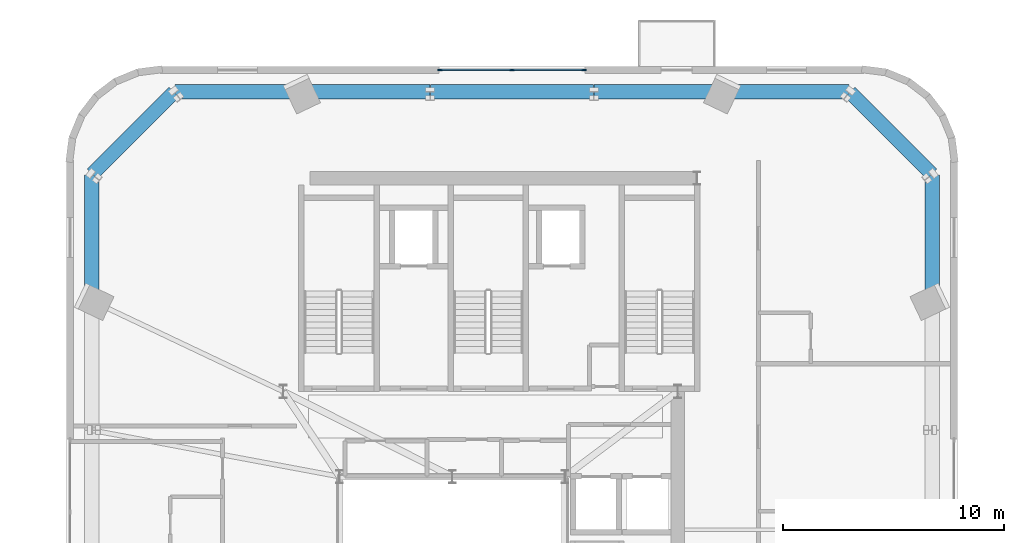
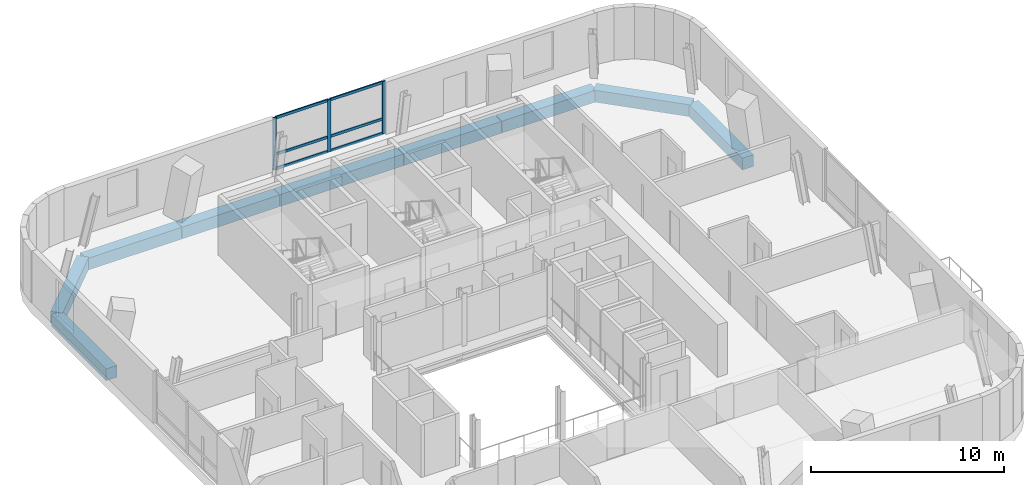
# One storey, part 5 of 13: 9 beams, 9 members, 1 element without a shape of its own.
"""IFC4 building model written with IfcOpenShell, lengths in metres."""

from ifc_helpers import new_model, si_unit, direction, frame, origin, origin_2d, place, context, subcontext, project, spatial, rectangle, extrude, source, transform, mapped, material, material_profile, profile_set, type_object, element, aggregate, save


model = new_model("IFC4")

# Units and contexts
model_context = context("Model", 3, precision=1e-05, world=origin(), true_north=direction((0.0, 1.0)))
body_context = subcontext(model_context, "Body", "Model", "MODEL_VIEW")
ifc_project = project(units=[si_unit("LENGTHUNIT", "METRE"), si_unit("AREAUNIT", "SQUARE_METRE"), si_unit("VOLUMEUNIT", "CUBIC_METRE"), si_unit("PLANEANGLEUNIT", "RADIAN"), si_unit("MASSUNIT", "GRAM", prefix="KILO")], contexts=[model_context])

# Site, building, storey
site_placement = place(None, origin())
site = spatial("IfcSite", under=ifc_project, at=site_placement, CompositionType="ELEMENT")
building_placement = place(site_placement, origin())
building = spatial("IfcBuilding", under=site, at=building_placement, Name="Vardaveli Station Tower", CompositionType="ELEMENT")
storey_placement = place(building_placement, frame((0.0, 0.0, 278.25)))
storey = spatial("IfcBuildingStorey", under=building, at=storey_placement, Name="L71", CompositionType="ELEMENT", Elevation=278.25)

# Beams
ifc_material_1 = material(Name="Precast concrete C45/55", Category="concrete")
ifc_material_profile_1 = material_profile(ifc_material_1, rectangle(XDim=0.64990234375, YDim=0.75, at=origin_2d()), Name="LPB 650x750")
ifc_profile_set_1 = profile_set([ifc_material_profile_1], Name="Precast concrete C45/55")
beam_type = type_object("IfcBeamType", Name="BM-LPB-750", PredefinedType="BEAM", material=ifc_profile_set_1)
shared_shape_1 = source(origin(), body_context, "Body", "SweptSolid", [
    extrude(rectangle(XDim=0.64990234375, YDim=0.75, at=origin_2d()), origin(), (0.0, 0.0, 1.0), 7.35986328125),
])
beam_placement = place(storey_placement, frame((42.679931640625, 44.2099609375, -1.02490234375), z_axis=(-1.0, 0.0, 0.0), x_axis=(0.0, -1.0, 0.0)))
element("IfcBeam", 1, at=beam_placement, inside=storey, type_object=beam_type, Name="RBM-L71-14", PredefinedType="BEAM", context=body_context, shape_type="MappedRepresentation", body=[
    mapped(shared_shape_1, transform((0.0, 0.0, 0.0), scale=1.0)),
])
shared_shape_2 = source(origin(), body_context, "Body", "SweptSolid", [
    extrude(rectangle(XDim=0.64990234375, YDim=0.75, at=origin_2d()), origin(), (0.0, 0.0, 1.0), 5.815673828125),
])
for number, where, z_axis, x_axis, name in (
    (2, (48.53564453125, 44.2099609375, -1.02490234375), (-1.0, 0.0, 0.0), (0.0, -1.0, 0.0), "RBM-L71-13"),
    (3, (35.280029296875, 44.2099609375, -1.02490234375), (-1.0, 0.0, 0.0), (0.0, -1.0, 0.0), "RBM-L71-15"),
):
    element("IfcBeam", number, at=place(storey_placement, frame(where, z_axis=z_axis, x_axis=x_axis)), inside=storey, type_object=beam_type, Name=name, PredefinedType="BEAM", context=body_context, shape_type="MappedRepresentation", body=[
        mapped(shared_shape_2, transform((0.0, 0.0, 0.0), scale=1.0)),
    ])
shared_shape_3 = source(origin(), body_context, "Body", "SweptSolid", [
    extrude(rectangle(XDim=0.64990234375, YDim=0.75, at=origin_2d()), origin(), (0.0, 0.0, 1.0), 5.680419921875),
])
for number, where, z_axis, x_axis, name in (
    (4, (58.010009765625, 34.775634765625, -1.02490234375), (0.0, 1.0, 0.0), (-1.0, 0.0, 0.0), "RBM-L71-10"),
    (5, (54.256103515625, 44.2099609375, -1.02490234375), (-1.0, 0.0, 0.0), (0.0, -1.0, 0.0), "RBM-L71-12"),
    (6, (29.42431640625, 44.2099609375, -1.02490234375), (-1.0, 0.0, 0.0), (0.0, -1.0, 0.0), "RBM-L71-16"),
    (7, (19.989990234375, 40.4560546875, -1.02490234375), (0.0, -1.0, 0.0), (1.0, 0.0, 0.0), "RBM-L71-18"),
):
    element("IfcBeam", number, at=place(storey_placement, frame(where, z_axis=z_axis, x_axis=x_axis)), inside=storey, type_object=beam_type, Name=name, PredefinedType="BEAM", context=body_context, shape_type="MappedRepresentation", body=[
        mapped(shared_shape_3, transform((0.0, 0.0, 0.0), scale=1.0)),
    ])
shared_shape_4 = source(origin(), body_context, "Body", "SweptSolid", [
    extrude(rectangle(XDim=0.64990234375, YDim=0.75, at=origin_2d()), origin(), (0.0, 0.0, 1.0), 5.24072265625),
])
for number, where, z_axis, x_axis, name in (
    (8, (57.995849609375, 40.490234375, -1.02490234375), (-0.707130073842, 0.707083487764, 0.0), (-0.707083487764, -0.707130073842, 0.0), "RBM-L71-11"),
    (9, (23.7099609375, 44.19580078125, -1.02490234375), (-0.707130073842, -0.707083487764, 0.0), (0.707083487764, -0.707130073842, 0.0), "RBM-L71-17"),
):
    element("IfcBeam", number, at=place(storey_placement, frame(where, z_axis=z_axis, x_axis=x_axis)), inside=storey, type_object=beam_type, Name=name, PredefinedType="BEAM", context=body_context, shape_type="MappedRepresentation", body=[
        mapped(shared_shape_4, transform((0.0, 0.0, 0.0), scale=1.0)),
    ])

# Curtain wall, members
ifc_material_2 = material(Name="Travertine stone and solar-control glass", Category="masonry")
curtain_wall_type = type_object("IfcCurtainWallType", Name="CW-SYS-5", PredefinedType="NOTDEFINED", material=ifc_material_2)
curtain_wall_placement = place(storey_placement, origin())
curtain_wall = element("IfcCurtainWall", 10, at=curtain_wall_placement, inside=storey, type_object=curtain_wall_type, Name="CW-L71-N", PredefinedType="NOTDEFINED")
ifc_material_3 = material(Name="Anodised aluminium alloy 6063-T6", Category="aluminium")
ifc_material_profile_2 = material_profile(ifc_material_3, rectangle(XDim=0.080078125, YDim=0.1650390625, at=origin_2d()), Name="CWT 80x165")
ifc_profile_set_2 = profile_set([ifc_material_profile_2], Name="Anodised aluminium alloy 6063-T6")
member_type_1 = type_object("IfcMemberType", Name="CW-SYS-5-TRAN", PredefinedType="NOTDEFINED", material=ifc_profile_set_2)
shared_shape_5 = source(origin(), body_context, "Body", "SweptSolid", [
    extrude(rectangle(XDim=0.080078125, YDim=0.1650390625, at=origin_2d()), origin(), (0.0, 0.0, 1.0), 3.179931640625),
])
member_1_placement = place(storey_placement, frame((42.219970703125, 45.199951171875, 0.0400390625), z_axis=(-1.0, 0.0, 0.0), x_axis=(0.0, -1.0, 0.0)))
member_1 = element("IfcMember", 11, at=member_1_placement, type_object=member_type_1, Name="CW-5 transom 1.1", ObjectType="TRANSOM", PredefinedType="USERDEFINED", context=body_context, shape_type="MappedRepresentation", body=[
    mapped(shared_shape_5, transform((0.0, 0.0, 0.0), scale=1.0)),
])
member_2_placement = place(storey_placement, frame((42.219970703125, 45.199951171875, 0.949951171875), z_axis=(-1.0, 0.0, 0.0), x_axis=(0.0, -1.0, 0.0)))
member_2 = element("IfcMember", 12, at=member_2_placement, type_object=member_type_1, Name="CW-5 transom 1.2", ObjectType="TRANSOM", PredefinedType="USERDEFINED", context=body_context, shape_type="MappedRepresentation", body=[
    mapped(shared_shape_5, transform((0.0, 0.0, 0.0), scale=1.0)),
])
member_3_placement = place(storey_placement, frame((42.219970703125, 45.199951171875, 3.260009765625), z_axis=(-1.0, 0.0, 0.0), x_axis=(0.0, -1.0, 0.0)))
member_3 = element("IfcMember", 13, at=member_3_placement, type_object=member_type_1, Name="CW-5 transom 1.3", ObjectType="TRANSOM", PredefinedType="USERDEFINED", context=body_context, shape_type="MappedRepresentation", body=[
    mapped(shared_shape_5, transform((0.0, 0.0, 0.0), scale=1.0)),
])
member_4_placement = place(storey_placement, frame((38.9599609375, 45.199951171875, 0.0400390625), z_axis=(-1.0, 0.0, 0.0), x_axis=(0.0, -1.0, 0.0)))
member_4 = element("IfcMember", 14, at=member_4_placement, type_object=member_type_1, Name="CW-5 transom 2.1", ObjectType="TRANSOM", PredefinedType="USERDEFINED", context=body_context, shape_type="MappedRepresentation", body=[
    mapped(shared_shape_5, transform((0.0, 0.0, 0.0), scale=1.0)),
])
member_5_placement = place(storey_placement, frame((38.9599609375, 45.199951171875, 0.949951171875), z_axis=(-1.0, 0.0, 0.0), x_axis=(0.0, -1.0, 0.0)))
member_5 = element("IfcMember", 15, at=member_5_placement, type_object=member_type_1, Name="CW-5 transom 2.2", ObjectType="TRANSOM", PredefinedType="USERDEFINED", context=body_context, shape_type="MappedRepresentation", body=[
    mapped(shared_shape_5, transform((0.0, 0.0, 0.0), scale=1.0)),
])
member_6_placement = place(storey_placement, frame((38.9599609375, 45.199951171875, 3.260009765625), z_axis=(-1.0, 0.0, 0.0), x_axis=(0.0, -1.0, 0.0)))
member_6 = element("IfcMember", 16, at=member_6_placement, type_object=member_type_1, Name="CW-5 transom 2.3", ObjectType="TRANSOM", PredefinedType="USERDEFINED", context=body_context, shape_type="MappedRepresentation", body=[
    mapped(shared_shape_5, transform((0.0, 0.0, 0.0), scale=1.0)),
])
ifc_material_profile_3 = material_profile(ifc_material_3, rectangle(XDim=0.080078125, YDim=0.205078125, at=origin_2d()), Name="CWM 80x205")
ifc_profile_set_3 = profile_set([ifc_material_profile_3], Name="Anodised aluminium alloy 6063-T6")
member_type_2 = type_object("IfcMemberType", Name="CW-SYS-5-MULL", PredefinedType="MULLION", material=ifc_profile_set_3)
shared_shape_6 = source(origin(), body_context, "Body", "SweptSolid", [
    extrude(rectangle(XDim=0.080078125, YDim=0.205078125, at=origin_2d()), origin(), (0.0, 0.0, 1.0), 3.300048828125),
])
member_7_placement = place(storey_placement, frame((42.260009765625, 45.199951171875, 0.0), z_axis=(0.0, 0.0, 1.0), x_axis=(0.0, -1.0, 0.0)))
member_7 = element("IfcMember", 17, at=member_7_placement, type_object=member_type_2, Name="CW-5 mullion 1", PredefinedType="MULLION", context=body_context, shape_type="MappedRepresentation", body=[
    mapped(shared_shape_6, transform((0.0, 0.0, 0.0), scale=1.0)),
])
member_8_placement = place(storey_placement, frame((39.0, 45.199951171875, 0.0), z_axis=(0.0, 0.0, 1.0), x_axis=(0.0, -1.0, 0.0)))
member_8 = element("IfcMember", 18, at=member_8_placement, type_object=member_type_2, Name="CW-5 mullion 2", PredefinedType="MULLION", context=body_context, shape_type="MappedRepresentation", body=[
    mapped(shared_shape_6, transform((0.0, 0.0, 0.0), scale=1.0)),
])
member_9_placement = place(storey_placement, frame((35.739990234375, 45.199951171875, 0.0), z_axis=(0.0, 0.0, 1.0), x_axis=(0.0, -1.0, 0.0)))
member_9 = element("IfcMember", 19, at=member_9_placement, type_object=member_type_2, Name="CW-5 mullion 3", PredefinedType="MULLION", context=body_context, shape_type="MappedRepresentation", body=[
    mapped(shared_shape_6, transform((0.0, 0.0, 0.0), scale=1.0)),
])
aggregate(curtain_wall, [member_7, member_8, member_9, member_1, member_2, member_3, member_4, member_5, member_6])

save(model, "model.ifc")
